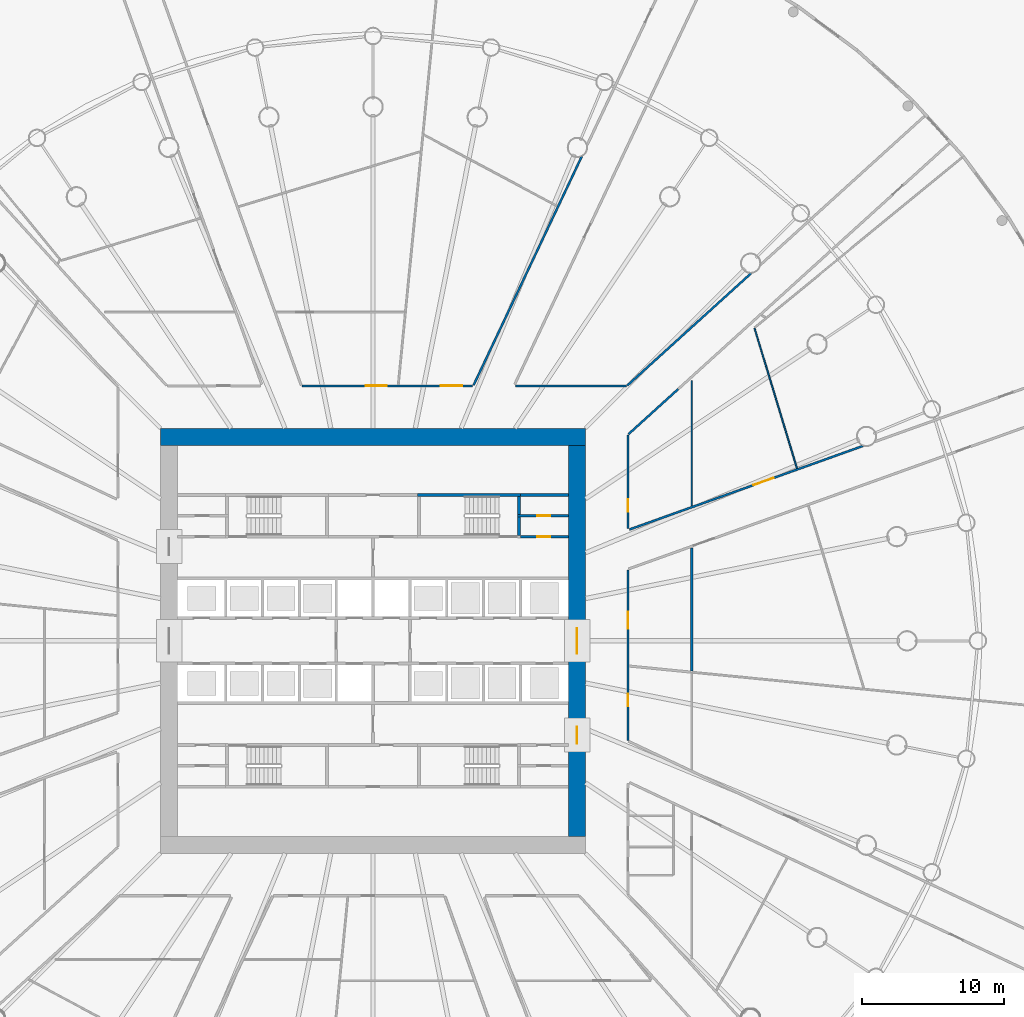
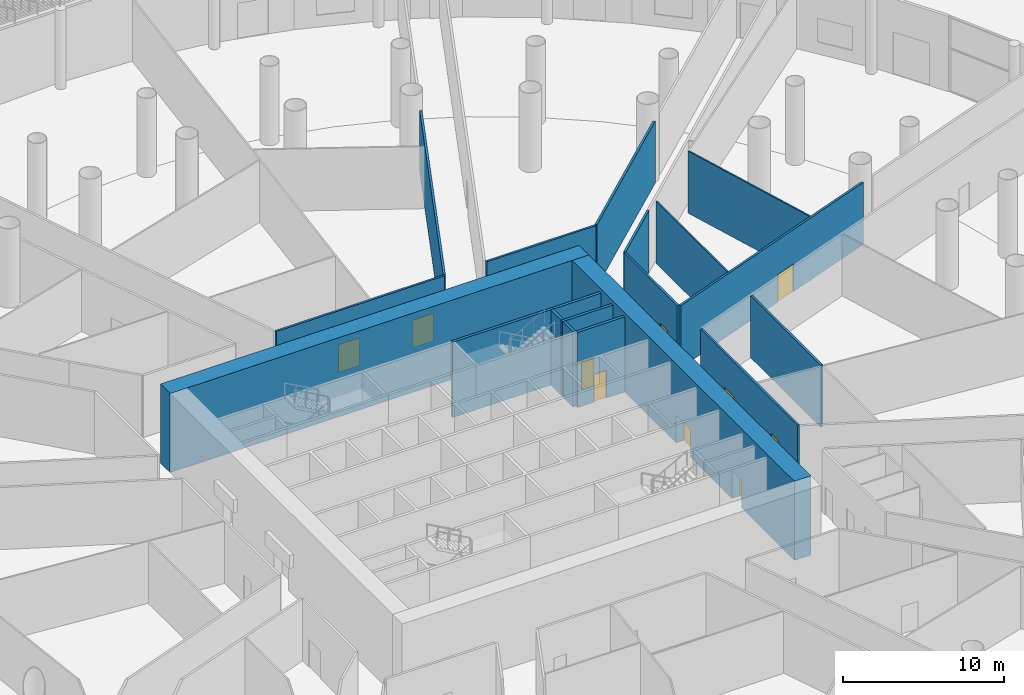
# One storey, part 21 of 33: 19 walls, 10 doors, 10 openings.
"""IFC4 building model written with IfcOpenShell, lengths in metres."""

from ifc_helpers import new_model, si_unit, direction, frame, frame_2d, origin, place, context, subcontext, project, spatial, polyline, rectangle, outline, extrude, material, layer, layer_set, type_object, element, fill, save


model = new_model("IFC4")

# Units and contexts
model_context = context("Model", 3, precision=1e-05, world=origin(), true_north=direction((0.0, 1.0)))
body_context = subcontext(model_context, "Body", "Model", "MODEL_VIEW")
ifc_project = project(units=[si_unit("LENGTHUNIT", "METRE"), si_unit("AREAUNIT", "SQUARE_METRE"), si_unit("VOLUMEUNIT", "CUBIC_METRE"), si_unit("PLANEANGLEUNIT", "RADIAN"), si_unit("MASSUNIT", "GRAM", prefix="KILO")], contexts=[model_context])

# Site, building, storey
site_placement = place(None, origin())
site = spatial("IfcSite", under=ifc_project, at=site_placement, CompositionType="ELEMENT")
building_placement = place(site_placement, origin())
building = spatial("IfcBuilding", under=site, at=building_placement, Name="Corvane Civic Tower", CompositionType="ELEMENT")
storey_placement = place(building_placement, origin())
storey = spatial("IfcBuildingStorey", under=building, at=storey_placement, Name="G", CompositionType="ELEMENT", Elevation=0.0)

# Wall
ifc_material_1 = material(Name="Concrete C80/95", Category="concrete")
ifc_layer_1 = layer(ifc_material_1, 1.199951171875)
ifc_layer_set_1 = layer_set([ifc_layer_1], Name="Concrete C80/95")
wall_type_1 = type_object("IfcWallType", Name="CORE WALL 1200 C80/95", PredefinedType="SHEAR", material=ifc_layer_set_1)
wall_1_placement = place(storey_placement, frame((-15.0, 14.39990234375, 0.0), z_axis=(0.0, 0.0, 1.0), x_axis=(1.0, 0.0, 0.0)))
element("IfcWall", 1, at=wall_1_placement, inside=storey, type_object=wall_type_1, Name="W-G-core-N", PredefinedType="SHEAR", context=body_context, shape_type="SweptSolid", body=[
    extrude(rectangle(XDim=30.0, YDim=1.199951171875, at=frame_2d((15.0, 0.0))), origin(), (0.0, 0.0, 1.0), 6.0),
])

# Wall, openings, doors
wall_2_placement = place(storey_placement, frame((14.39990234375, -13.800048828125, 0.0), z_axis=(0.0, 0.0, 1.0), x_axis=(0.0, 1.0, 0.0)))
wall_2 = element("IfcWall", 2, at=wall_2_placement, inside=storey, type_object=wall_type_1, Name="W-G-core-E", PredefinedType="SHEAR", context=body_context, shape_type="SweptSolid", body=[
    extrude(rectangle(XDim=27.60009765625, YDim=1.199951171875, at=frame_2d((13.800048828125, 0.0))), origin(), (0.0, 0.0, 1.0), 6.0),
])
opening_1_placement = place(wall_2_placement, frame((12.89990234375, 0.0, 0.0)))
opening_1 = element("IfcOpeningElement", 3, at=opening_1_placement, cuts=wall_2, Name="Opening G.C23", PredefinedType="OPENING", context=body_context, shape_type="SweptSolid", body=[
    extrude(rectangle(XDim=1.800048828125, YDim=2.10009765625, at=frame_2d((0.89990234375, 1.050048828125))), frame((0.0, 0.60986328125, 0.0), z_axis=(0.0, -1.0, 0.0), x_axis=(1.0, 0.0, 0.0)), (0.0, 0.0, 1.0), 1.219970703125),
])
opening_2_placement = place(wall_2_placement, frame((6.550048828125, 0.0, 0.0)))
opening_2 = element("IfcOpeningElement", 4, at=opening_2_placement, cuts=wall_2, Name="Opening G.C25", PredefinedType="OPENING", context=body_context, shape_type="SweptSolid", body=[
    extrude(rectangle(XDim=1.199951171875, YDim=2.10009765625, at=frame_2d((0.60009765625, 1.050048828125))), frame((0.0, 0.60986328125, 0.0), z_axis=(0.0, -1.0, 0.0), x_axis=(1.0, 0.0, 0.0)), (0.0, 0.0, 1.0), 1.219970703125),
])
ifc_material_2 = material(Name="Steel fire door leaf", Category="steel")
door_type_1 = type_object("IfcDoorType", Name="CR-DOOR-CORE-1800", OperationType="DOUBLE_DOOR_SINGLE_SWING", PredefinedType="DOOR", material=ifc_material_2)
door_1_placement = place(opening_1_placement, origin())
door_1 = element("IfcDoor", 5, at=door_1_placement, inside=storey, type_object=door_type_1, Name="G door", OperationType="DOUBLE_DOOR_SINGLE_SWING", OverallHeight=2.10009765625, OverallWidth=1.800048828125, PredefinedType="DOOR", context=body_context, shape_type="SweptSolid", body=[
    extrude(rectangle(XDim=1.800048828125, YDim=2.10009765625, at=frame_2d((0.89990234375, 1.050048828125))), frame((0.0, 0.02490234375, 0.0), z_axis=(0.0, -1.0, 0.0), x_axis=(1.0, 0.0, 0.0)), (0.0, 0.0, 1.0), 0.050048828125),
])
fill(opening_1, door_1)
door_2_placement = place(opening_2_placement, origin())
door_2 = element("IfcDoor", 6, at=door_2_placement, inside=storey, type_object=door_type_1, Name="G door", OperationType="DOUBLE_DOOR_SINGLE_SWING", OverallHeight=2.10009765625, OverallWidth=1.199951171875, PredefinedType="DOOR", context=body_context, shape_type="SweptSolid", body=[
    extrude(rectangle(XDim=1.199951171875, YDim=2.10009765625, at=frame_2d((0.60009765625, 1.050048828125))), frame((0.0, 0.02490234375, 0.0), z_axis=(0.0, -1.0, 0.0), x_axis=(1.0, 0.0, 0.0)), (0.0, 0.0, 1.0), 0.050048828125),
])
fill(opening_2, door_2)

# Wall, opening, door
ifc_material_3 = material(Name="Concrete C30/37", Category="concrete")
ifc_layer_2 = layer(ifc_material_3, 0.199951171875)
ifc_layer_set_2 = layer_set([ifc_layer_2], Name="Concrete C30/37")
wall_type_2 = type_object("IfcWallType", Name="CR-WALL-200", PredefinedType="PARTITIONING", material=ifc_layer_set_2)
wall_3_placement = place(storey_placement, frame((10.39990234375, 7.35009765625, 0.0), z_axis=(0.0, 0.0, 1.0), x_axis=(1.0, 0.0, 0.0)))
wall_3 = element("IfcWall", 7, at=wall_3_placement, inside=storey, type_object=wall_type_2, Name="G core partition wall", PredefinedType="PARTITIONING", context=body_context, shape_type="SweptSolid", body=[
    extrude(rectangle(XDim=3.400146484375, YDim=0.199951171875, at=frame_2d((1.7001953125, 0.0))), origin(), (0.0, 0.0, 1.0), 5.699951171875),
])
opening_3_placement = place(wall_3_placement, frame((1.199951171875, 0.0, 0.0)))
opening_3 = element("IfcOpeningElement", 8, at=opening_3_placement, cuts=wall_3, Name="Opening G.C10", PredefinedType="OPENING", context=body_context, shape_type="SweptSolid", body=[
    extrude(rectangle(XDim=0.89990234375, YDim=2.10009765625, at=frame_2d((0.449951171875, 1.050048828125))), frame((0.0, 0.10986328125, 0.0), z_axis=(0.0, -1.0, 0.0), x_axis=(1.0, 0.0, 0.0)), (0.0, 0.0, 1.0), 0.219970703125),
])
ifc_material_4 = material(Name="Steel fire door leaf", Category="steel")
door_type_2 = type_object("IfcDoorType", Name="CR-DOOR-900", OperationType="SINGLE_SWING_LEFT", PredefinedType="DOOR", material=ifc_material_4)
door_3_placement = place(opening_3_placement, origin())
door_3 = element("IfcDoor", 9, at=door_3_placement, inside=storey, type_object=door_type_2, Name="G door", OperationType="SINGLE_SWING_LEFT", OverallHeight=2.10009765625, OverallWidth=0.89990234375, PredefinedType="DOOR", context=body_context, shape_type="SweptSolid", body=[
    extrude(rectangle(XDim=0.89990234375, YDim=2.10009765625, at=frame_2d((0.449951171875, 1.050048828125))), frame((0.0, 0.02490234375, 0.0), z_axis=(0.0, -1.0, 0.0), x_axis=(1.0, 0.0, 0.0)), (0.0, 0.0, 1.0), 0.050048828125),
])
fill(opening_3, door_3)

wall_4_placement = place(storey_placement, frame((10.199951171875, 8.824951171875, 0.0), z_axis=(0.0, 0.0, 1.0), x_axis=(1.0, 0.0, 0.0)))
wall_4 = element("IfcWall", 10, at=wall_4_placement, inside=storey, type_object=wall_type_2, Name="G partition wall", PredefinedType="PARTITIONING", context=body_context, shape_type="SweptSolid", body=[
    extrude(rectangle(XDim=3.60009765625, YDim=0.199951171875, at=frame_2d((1.800048828125, 0.0))), origin(), (0.0, 0.0, 1.0), 5.699951171875),
])
opening_4_placement = place(wall_4_placement, frame((1.39990234375, 0.0, 0.0)))
opening_4 = element("IfcOpeningElement", 11, at=opening_4_placement, cuts=wall_4, Name="Opening G.C11", PredefinedType="OPENING", context=body_context, shape_type="SweptSolid", body=[
    extrude(rectangle(XDim=0.89990234375, YDim=2.10009765625, at=frame_2d((0.449951171875, 1.050048828125))), frame((0.0, 0.10986328125, 0.0), z_axis=(0.0, -1.0, 0.0), x_axis=(1.0, 0.0, 0.0)), (0.0, 0.0, 1.0), 0.219970703125),
])
door_4_placement = place(opening_4_placement, origin())
door_4 = element("IfcDoor", 12, at=door_4_placement, inside=storey, type_object=door_type_2, Name="G door", OperationType="SINGLE_SWING_LEFT", OverallHeight=2.10009765625, OverallWidth=0.89990234375, PredefinedType="DOOR", context=body_context, shape_type="SweptSolid", body=[
    extrude(rectangle(XDim=0.89990234375, YDim=2.10009765625, at=frame_2d((0.449951171875, 1.050048828125))), frame((0.0, 0.02490234375, 0.0), z_axis=(0.0, -1.0, 0.0), x_axis=(1.0, 0.0, 0.0)), (0.0, 0.0, 1.0), 0.050048828125),
])
fill(opening_4, door_4)

# Walls
wall_5_placement = place(storey_placement, origin())
element("IfcWall", 13, at=wall_5_placement, inside=storey, type_object=wall_type_2, Name="G core partition wall", PredefinedType="PARTITIONING", context=body_context, shape_type="SweptSolid", body=[
    extrude(outline(polyline([(10.39990234375, 10.199951171875), (10.39990234375, 10.39990234375), (13.800048828125, 10.39990234375), (13.800048828125, 10.199951171875), (10.39990234375, 10.199951171875)])), origin(), (0.0, 0.0, 1.0), 5.699951171875),
])
ifc_material_5 = material(Name="Plasterboard")
ifc_layer_3 = layer(ifc_material_5, 0.10009765625)
ifc_layer_set_3 = layer_set([ifc_layer_3], Name="Plasterboard")
wall_type_3 = type_object("IfcWallType", Name="Partition 100 plasterboard on studs", PredefinedType="PARTITIONING", material=ifc_layer_set_3)
wall_6_placement = place(storey_placement, frame((22.5, 9.52880859375, 0.0), z_axis=(0.0, 0.0, 1.0), x_axis=(0.0, 1.0, 0.0)))
element("IfcWall", 14, at=wall_6_placement, inside=storey, type_object=wall_type_3, Name="Partition G.064", PredefinedType="PARTITIONING", context=body_context, shape_type="SweptSolid", body=[
    extrude(rectangle(XDim=8.830810546875, YDim=0.10009765625, at=frame_2d((4.41552734375, 0.0))), origin(), (0.0, 0.0, 1.0), 4.699951171875),
])
wall_7_placement = place(storey_placement, frame((26.931396484375, 22.062255859375, 0.0), z_axis=(0.0, 0.0, 1.0), x_axis=(0.290285381197, -0.956940122193, 0.0)))
element("IfcWall", 15, at=wall_7_placement, inside=storey, type_object=wall_type_3, Name="Partition G.067", PredefinedType="PARTITIONING", context=body_context, shape_type="SweptSolid", body=[
    extrude(rectangle(XDim=10.334716796875, YDim=0.10009765625, at=frame_2d((5.16748046875, 0.0))), origin(), (0.0, 0.0, 1.0), 4.699951171875),
])
ifc_material_6 = material(Name="Concrete C50/60", Category="concrete")
ifc_layer_4 = layer(ifc_material_6, 0.199951171875)
ifc_layer_set_4 = layer_set([ifc_layer_4], Name="Concrete C50/60")
wall_type_4 = type_object("IfcWallType", Name="ST-WALL-200", PredefinedType="SHEAR", material=ifc_layer_set_4)
wall_8_placement = place(storey_placement, origin())
element("IfcWall", 16, at=wall_8_placement, inside=storey, type_object=wall_type_4, Name="G stair enclosure wall", PredefinedType="SHEAR", context=body_context, shape_type="SweptSolid", body=[
    extrude(outline(polyline([(10.39990234375, 10.199951171875), (3.14990234375, 10.199951171875), (3.14990234375, 10.39990234375), (10.39990234375, 10.39990234375), (10.39990234375, 10.199951171875)])), origin(), (0.0, 0.0, 1.0), 5.699951171875),
])
wall_9_placement = place(storey_placement, origin())
element("IfcWall", 17, at=wall_9_placement, inside=storey, type_object=wall_type_4, Name="G stair enclosure wall", PredefinedType="SHEAR", context=body_context, shape_type="SweptSolid", body=[
    extrude(outline(polyline([(10.39990234375, 8.72509765625), (10.39990234375, 7.449951171875), (10.199951171875, 7.449951171875), (10.199951171875, 8.72509765625), (10.39990234375, 8.72509765625)])), origin(), (0.0, 0.0, 1.0), 5.699951171875),
])
wall_10_placement = place(storey_placement, origin())
element("IfcWall", 18, at=wall_10_placement, inside=storey, type_object=wall_type_4, Name="G stair enclosure wall", PredefinedType="SHEAR", context=body_context, shape_type="SweptSolid", body=[
    extrude(outline(polyline([(10.39990234375, 8.925048828125), (10.199951171875, 8.925048828125), (10.199951171875, 10.199951171875), (10.39990234375, 10.199951171875), (10.39990234375, 8.925048828125)])), origin(), (0.0, 0.0, 1.0), 5.699951171875),
])

# Wall, openings, doors
ifc_material_7 = material(Name="Plasterboard")
ifc_layer_5 = layer(ifc_material_7, 0.14990234375)
ifc_layer_set_5 = layer_set([ifc_layer_5], Name="Plasterboard")
wall_type_5 = type_object("IfcWallType", Name="Tenancy wall 150 EI 60", PredefinedType="PARTITIONING", material=ifc_layer_set_5)
wall_11_placement = place(storey_placement, frame((18.0, -7.02783203125, 0.0), z_axis=(0.0, 0.0, 1.0), x_axis=(0.0, 1.0, 0.0)))
wall_11 = element("IfcWall", 19, at=wall_11_placement, inside=storey, type_object=wall_type_5, Name="Partition G.051", PredefinedType="PARTITIONING", context=body_context, shape_type="SweptSolid", body=[
    extrude(rectangle(XDim=12.034912109375, YDim=0.14990234375, at=frame_2d((6.017578125, 0.0))), origin(), (0.0, 0.0, 1.0), 4.699951171875),
])
opening_5_placement = place(wall_11_placement, frame((7.87451171875, 0.0, 0.0)))
opening_5 = element("IfcOpeningElement", 20, at=opening_5_placement, cuts=wall_11, Name="Opening G.009", PredefinedType="OPENING", context=body_context, shape_type="SweptSolid", body=[
    extrude(rectangle(XDim=1.199951171875, YDim=2.10009765625, at=frame_2d((0.60009765625, 1.050048828125))), frame((0.0, 0.0849609375, 0.0), z_axis=(0.0, -1.0, 0.0), x_axis=(1.0, 0.0, 0.0)), (0.0, 0.0, 1.0), 0.169921875),
])
opening_6_placement = place(wall_11_placement, frame((2.39794921875, 0.0, 0.0)))
opening_6 = element("IfcOpeningElement", 21, at=opening_6_placement, cuts=wall_11, Name="Opening G.016", PredefinedType="OPENING", context=body_context, shape_type="SweptSolid", body=[
    extrude(rectangle(XDim=0.89990234375, YDim=2.10009765625, at=frame_2d((0.449951171875, 1.050048828125))), frame((0.0, 0.0849609375, 0.0), z_axis=(0.0, -1.0, 0.0), x_axis=(1.0, 0.0, 0.0)), (0.0, 0.0, 1.0), 0.169921875),
])
ifc_material_8 = material(Name="Steel and timber", Category="steel")
door_type_3 = type_object("IfcDoorType", Name="Fire door FD30S 900", OperationType="NOTDEFINED", PredefinedType="DOOR", material=ifc_material_8)
door_5_placement = place(opening_6_placement, frame((0.89990234375, 0.0, 0.0), z_axis=(0.0, 0.0, 1.0), x_axis=(-1.0, 0.0, 0.0)))
door_5 = element("IfcDoor", 22, at=door_5_placement, inside=storey, type_object=door_type_3, Name="Door G.016", OperationType="SINGLE_SWING_LEFT", OverallHeight=2.10009765625, OverallWidth=0.89990234375, PredefinedType="DOOR", context=body_context, shape_type="SweptSolid", body=[
    extrude(rectangle(XDim=0.89990234375, YDim=2.10009765625, at=frame_2d((0.449951171875, 1.050048828125))), frame((0.0, 0.02490234375, 0.0), z_axis=(0.0, -1.0, 0.0), x_axis=(1.0, 0.0, 0.0)), (0.0, 0.0, 1.0), 0.050048828125),
])
fill(opening_6, door_5)
ifc_material_9 = material(Name="Steel and timber", Category="steel")
door_type_4 = type_object("IfcDoorType", Name="Fire door FD60 1200", OperationType="NOTDEFINED", PredefinedType="DOOR", material=ifc_material_9)
door_6_placement = place(opening_5_placement, frame((1.199951171875, 0.0, 0.0), z_axis=(0.0, 0.0, 1.0), x_axis=(-1.0, 0.0, 0.0)))
door_6 = element("IfcDoor", 23, at=door_6_placement, inside=storey, type_object=door_type_4, Name="Door G.009", OperationType="SINGLE_SWING_RIGHT", OverallHeight=2.10009765625, OverallWidth=1.199951171875, PredefinedType="DOOR", context=body_context, shape_type="SweptSolid", body=[
    extrude(rectangle(XDim=1.199951171875, YDim=2.10009765625, at=frame_2d((0.60009765625, 1.050048828125))), frame((0.0, 0.02490234375, 0.0), z_axis=(0.0, -1.0, 0.0), x_axis=(1.0, 0.0, 0.0)), (0.0, 0.0, 1.0), 0.050048828125),
])
fill(opening_5, door_6)

# Wall
wall_12_placement = place(storey_placement, frame((22.5, -2.13330078125, 0.0), z_axis=(0.0, 0.0, 1.0), x_axis=(0.0, 1.0, 0.0)))
element("IfcWall", 24, at=wall_12_placement, inside=storey, type_object=wall_type_5, Name="Partition G.057", PredefinedType="PARTITIONING", context=body_context, shape_type="SweptSolid", body=[
    extrude(rectangle(XDim=8.69677734375, YDim=0.14990234375, at=frame_2d((4.348388671875, 0.0))), origin(), (0.0, 0.0, 1.0), 4.699951171875),
])

# Wall, opening, door
wall_13_placement = place(storey_placement, frame((18.100341796875, 7.857177734375, 0.0), z_axis=(0.0, 0.0, 1.0), x_axis=(0.941546889644, 0.336881959449, 0.0)))
wall_13 = element("IfcWall", 25, at=wall_13_placement, inside=storey, type_object=wall_type_5, Name="Partition G.062", PredefinedType="PARTITIONING", context=body_context, shape_type="SweptSolid", body=[
    extrude(rectangle(XDim=17.517578125, YDim=0.14990234375, at=frame_2d((8.7587890625, 0.0))), origin(), (0.0, 0.0, 1.0), 4.699951171875),
])
opening_7_placement = place(wall_13_placement, frame((9.304931640625, 0.0, 0.0)))
opening_7 = element("IfcOpeningElement", 26, at=opening_7_placement, cuts=wall_13, Name="Opening G.008", PredefinedType="OPENING", context=body_context, shape_type="SweptSolid", body=[
    extrude(rectangle(XDim=1.5, YDim=2.10009765625, at=frame_2d((0.75, 1.050048828125))), frame((0.0, 0.0849609375, 0.0), z_axis=(0.0, -1.0, 0.0), x_axis=(1.0, 0.0, 0.0)), (0.0, 0.0, 1.0), 0.169921875),
])
ifc_material_10 = material(Name="Steel and timber", Category="steel")
door_type_5 = type_object("IfcDoorType", Name="Fire door FD60 double 1500", OperationType="NOTDEFINED", PredefinedType="DOOR", material=ifc_material_10)
door_7_placement = place(opening_7_placement, origin())
door_7 = element("IfcDoor", 27, at=door_7_placement, inside=storey, type_object=door_type_5, Name="Door G.008", OperationType="DOUBLE_DOOR_SINGLE_SWING", OverallHeight=2.10009765625, OverallWidth=1.5, PredefinedType="DOOR", context=body_context, shape_type="SweptSolid", body=[
    extrude(rectangle(XDim=1.5, YDim=2.10009765625, at=frame_2d((0.75, 1.050048828125))), frame((0.0, 0.02490234375, 0.0), z_axis=(0.0, -1.0, 0.0), x_axis=(1.0, 0.0, 0.0)), (0.0, 0.0, 1.0), 0.050048828125),
])
fill(opening_7, door_7)

wall_14_placement = place(storey_placement, frame((18.0, 7.927734375, 0.0), z_axis=(0.0, 0.0, 1.0), x_axis=(0.0, 1.0, 0.0)))
wall_14 = element("IfcWall", 28, at=wall_14_placement, inside=storey, type_object=wall_type_5, Name="Partition G.063", PredefinedType="PARTITIONING", context=body_context, shape_type="SweptSolid", body=[
    extrude(rectangle(XDim=6.598876953125, YDim=0.14990234375, at=frame_2d((3.29931640625, 0.0))), origin(), (0.0, 0.0, 1.0), 4.699951171875),
])
opening_8_placement = place(wall_14_placement, frame((1.183349609375, 0.0, 0.0)))
opening_8 = element("IfcOpeningElement", 29, at=opening_8_placement, cuts=wall_14, Name="Opening G.010", PredefinedType="OPENING", context=body_context, shape_type="SweptSolid", body=[
    extrude(rectangle(XDim=0.89990234375, YDim=2.10009765625, at=frame_2d((0.449951171875, 1.050048828125))), frame((0.0, 0.0849609375, 0.0), z_axis=(0.0, -1.0, 0.0), x_axis=(1.0, 0.0, 0.0)), (0.0, 0.0, 1.0), 0.169921875),
])
door_8_placement = place(opening_8_placement, frame((0.89990234375, 0.0, 0.0), z_axis=(0.0, 0.0, 1.0), x_axis=(-1.0, 0.0, 0.0)))
door_8 = element("IfcDoor", 30, at=door_8_placement, inside=storey, type_object=door_type_3, Name="Door G.010", OperationType="SINGLE_SWING_LEFT", OverallHeight=2.10009765625, OverallWidth=0.89990234375, PredefinedType="DOOR", context=body_context, shape_type="SweptSolid", body=[
    extrude(rectangle(XDim=0.89990234375, YDim=2.10009765625, at=frame_2d((0.449951171875, 1.050048828125))), frame((0.0, 0.02490234375, 0.0), z_axis=(0.0, -1.0, 0.0), x_axis=(1.0, 0.0, 0.0)), (0.0, 0.0, 1.0), 0.050048828125),
])
fill(opening_8, door_8)

# Wall
wall_15_placement = place(storey_placement, frame((18.024658203125, 14.58203125, 0.0), z_axis=(0.0, 0.0, 1.0), x_axis=(0.740938140624, 0.671573281012, 0.0)))
element("IfcWall", 31, at=wall_15_placement, inside=storey, type_object=wall_type_5, Name="Partition G.069", PredefinedType="PARTITIONING", context=body_context, shape_type="SweptSolid", body=[
    extrude(rectangle(XDim=4.744384765625, YDim=0.14990234375, at=frame_2d((2.3720703125, 0.0))), origin(), (0.0, 0.0, 1.0), 4.699951171875),
])

# Wall, openings, doors
wall_16_placement = place(storey_placement, frame((-5.007080078125, 18.0, 0.0), z_axis=(0.0, 0.0, 1.0), x_axis=(1.0, 0.0, 0.0)))
wall_16 = element("IfcWall", 32, at=wall_16_placement, inside=storey, type_object=wall_type_5, Name="Partition G.076", PredefinedType="PARTITIONING", context=body_context, shape_type="SweptSolid", body=[
    extrude(rectangle(XDim=12.034912109375, YDim=0.14990234375, at=frame_2d((6.017578125, 0.0))), origin(), (0.0, 0.0, 1.0), 4.699951171875),
])
opening_9_placement = place(wall_16_placement, frame((9.794921875, 0.0, 0.0)))
opening_9 = element("IfcOpeningElement", 33, at=opening_9_placement, cuts=wall_16, Name="Opening G.004", PredefinedType="OPENING", context=body_context, shape_type="SweptSolid", body=[
    extrude(rectangle(XDim=1.5, YDim=2.10009765625, at=frame_2d((0.75, 1.050048828125))), frame((0.0, 0.0849609375, 0.0), z_axis=(0.0, -1.0, 0.0), x_axis=(1.0, 0.0, 0.0)), (0.0, 0.0, 1.0), 0.169921875),
])
opening_10_placement = place(wall_16_placement, frame((4.4765625, 0.0, 0.0)))
opening_10 = element("IfcOpeningElement", 34, at=opening_10_placement, cuts=wall_16, Name="Opening G.048", PredefinedType="OPENING", context=body_context, shape_type="SweptSolid", body=[
    extrude(rectangle(XDim=1.5, YDim=2.10009765625, at=frame_2d((0.75, 1.050048828125))), frame((0.0, 0.0849609375, 0.0), z_axis=(0.0, -1.0, 0.0), x_axis=(1.0, 0.0, 0.0)), (0.0, 0.0, 1.0), 0.169921875),
])
door_9_placement = place(opening_9_placement, origin())
door_9 = element("IfcDoor", 35, at=door_9_placement, inside=storey, type_object=door_type_5, Name="Door G.004", OperationType="DOUBLE_DOOR_SINGLE_SWING", OverallHeight=2.10009765625, OverallWidth=1.5, PredefinedType="DOOR", context=body_context, shape_type="SweptSolid", body=[
    extrude(rectangle(XDim=1.5, YDim=2.10009765625, at=frame_2d((0.75, 1.050048828125))), frame((0.0, 0.02490234375, 0.0), z_axis=(0.0, -1.0, 0.0), x_axis=(1.0, 0.0, 0.0)), (0.0, 0.0, 1.0), 0.050048828125),
])
fill(opening_9, door_9)
door_10_placement = place(opening_10_placement, origin())
door_10 = element("IfcDoor", 36, at=door_10_placement, inside=storey, type_object=door_type_5, Name="Door G.048", OperationType="DOUBLE_DOOR_SINGLE_SWING", OverallHeight=2.10009765625, OverallWidth=1.5, PredefinedType="DOOR", context=body_context, shape_type="SweptSolid", body=[
    extrude(rectangle(XDim=1.5, YDim=2.10009765625, at=frame_2d((0.75, 1.050048828125))), frame((0.0, 0.02490234375, 0.0), z_axis=(0.0, -1.0, 0.0), x_axis=(1.0, 0.0, 0.0)), (0.0, 0.0, 1.0), 0.050048828125),
])
fill(opening_10, door_10)

# Walls
wall_17_placement = place(storey_placement, frame((10.06982421875, 18.0, 0.0), z_axis=(0.0, 0.0, 1.0), x_axis=(1.0, 0.0, 0.0)))
element("IfcWall", 37, at=wall_17_placement, inside=storey, type_object=wall_type_5, Name="Partition G.077", PredefinedType="PARTITIONING", context=body_context, shape_type="SweptSolid", body=[
    extrude(rectangle(XDim=7.825439453125, YDim=0.14990234375, at=frame_2d((3.91259765625, 0.0))), origin(), (0.0, 0.0, 1.0), 4.699951171875),
])
wall_18_placement = place(storey_placement, frame((17.945556640625, 18.019287109375, 0.0), z_axis=(0.0, 0.0, 1.0), x_axis=(0.740946765449, 0.67156376523, 0.0)))
element("IfcWall", 38, at=wall_18_placement, inside=storey, type_object=wall_type_5, Name="Partition G.079", PredefinedType="PARTITIONING", context=body_context, shape_type="SweptSolid", body=[
    extrude(rectangle(XDim=11.808837890625, YDim=0.14990234375, at=frame_2d((5.904296875, 0.0))), origin(), (0.0, 0.0, 1.0), 4.699951171875),
])
wall_19_placement = place(storey_placement, frame((7.095703125, 18.04296875, 0.0), z_axis=(0.0, 0.0, 1.0), x_axis=(0.427561601701, 0.903986214912, 0.0)))
element("IfcWall", 39, at=wall_19_placement, inside=storey, type_object=wall_type_5, Name="Partition G.080", PredefinedType="PARTITIONING", context=body_context, shape_type="SweptSolid", body=[
    extrude(rectangle(XDim=17.8623046875, YDim=0.14990234375, at=frame_2d((8.93115234375, 0.0))), origin(), (0.0, 0.0, 1.0), 4.699951171875),
])

save(model, "model.ifc")
